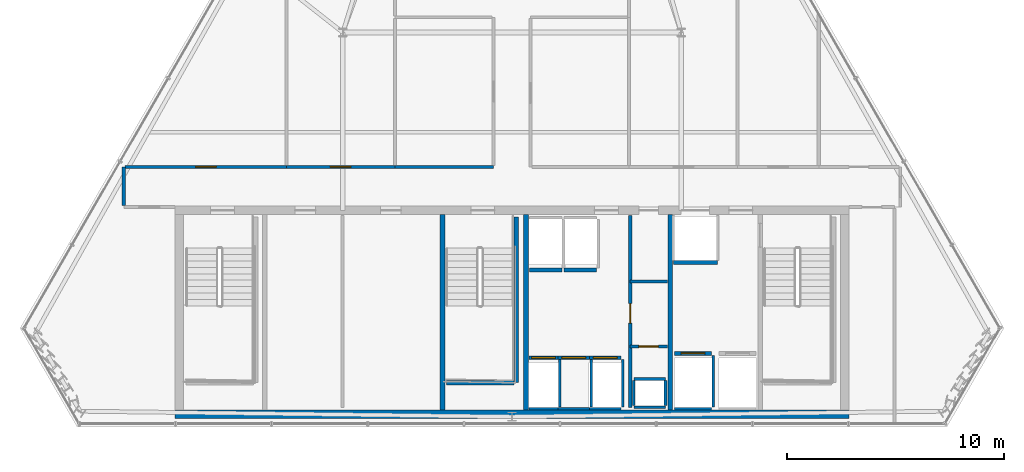
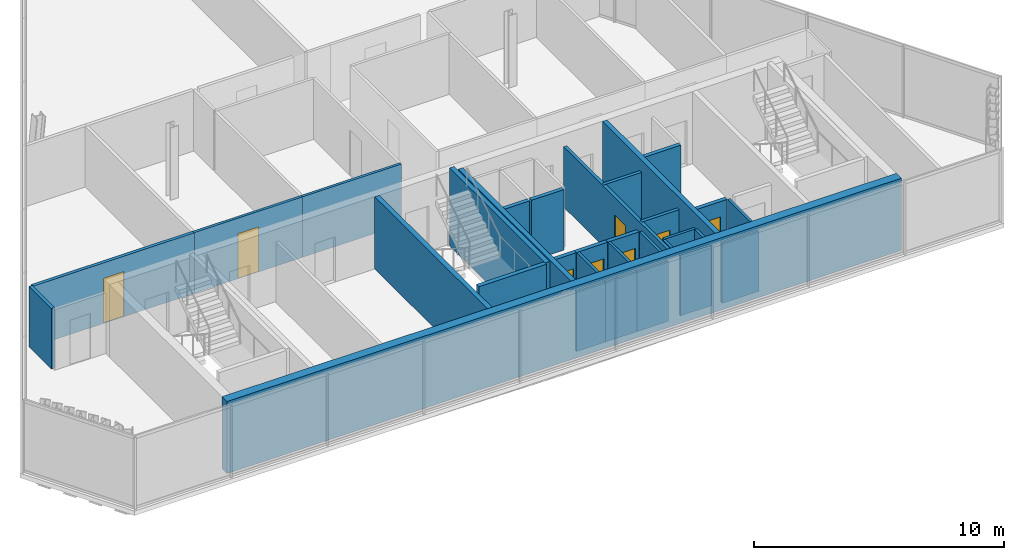
# One storey, part 30 of 35: 32 walls, 8 doors, 8 openings.
"""IFC4 building model written with IfcOpenShell, lengths in metres."""

from ifc_helpers import new_model, si_unit, direction, frame, frame_2d, origin, place, context, subcontext, project, spatial, rectangle, extrude, material, layer, layer_set, type_object, element, fill, save


model = new_model("IFC4")

# Units and contexts
model_context = context("Model", 3, precision=1e-05, world=origin(), true_north=direction((0.0, 1.0)))
body_context = subcontext(model_context, "Body", "Model", "MODEL_VIEW")
ifc_project = project(units=[si_unit("LENGTHUNIT", "METRE"), si_unit("AREAUNIT", "SQUARE_METRE"), si_unit("VOLUMEUNIT", "CUBIC_METRE"), si_unit("PLANEANGLEUNIT", "RADIAN"), si_unit("MASSUNIT", "GRAM", prefix="KILO")], contexts=[model_context])

# Site, building, storey
site_placement = place(None, origin())
site = spatial("IfcSite", under=ifc_project, at=site_placement, CompositionType="ELEMENT")
building_placement = place(site_placement, origin())
building = spatial("IfcBuilding", under=site, at=building_placement, Name="Ndaravel Arena Tower", CompositionType="ELEMENT")
storey_placement = place(building_placement, frame((0.0, 0.0, 275.0)))
storey = spatial("IfcBuildingStorey", under=building, at=storey_placement, Name="L67", CompositionType="ELEMENT", Elevation=275.0)

# Wall, opening, door
ifc_material_1 = material(Name="Gypsum", Category="gypsum")
ifc_layer_1 = layer(ifc_material_1, 0.14990234375)
ifc_layer_set_1 = layer_set([ifc_layer_1], Name="Gypsum")
wall_type_1 = type_object("IfcWallType", Name="WALL-COMP-150", PredefinedType="PARTITIONING", material=ifc_layer_set_1)
wall_1_placement = place(storey_placement, frame((47.449951171875, 5.89990234375, 0.0), z_axis=(0.0, 0.0, 1.0), x_axis=(0.0, 1.0, 0.0)))
wall_1 = element("IfcWall", 1, at=wall_1_placement, inside=storey, type_object=wall_type_1, Name="L67 Core Riser Bay Partition", PredefinedType="PARTITIONING", context=body_context, shape_type="SweptSolid", body=[
    extrude(rectangle(XDim=8.85009765625, YDim=0.14990234375, at=frame_2d((4.425048828125, 0.0))), origin(), (0.0, 0.0, 1.0), 2.950439453125),
])
opening_1_placement = place(wall_1_placement, frame((3.89990234375, 0.0, 0.0)))
opening_1 = element("IfcOpeningElement", 2, at=opening_1_placement, cuts=wall_1, Name="Opening RD-01", PredefinedType="OPENING", context=body_context, shape_type="SweptSolid", body=[
    extrude(rectangle(XDim=0.89990234375, YDim=2.10009765625, at=frame_2d((0.449951171875, 1.050048828125))), frame((0.0, 0.074951171875, 0.0), z_axis=(0.0, -1.0, 0.0), x_axis=(1.0, 0.0, 0.0)), (0.0, 0.0, 1.0), 0.14990234375),
])
ifc_material_2 = material(Name="Steel S355", Category="steel")
door_type_1 = type_object("IfcDoorType", Name="DT-08-RISER-900", OperationType="SINGLE_SWING_LEFT", PredefinedType="DOOR", material=ifc_material_2)
door_1_placement = place(opening_1_placement, origin())
door_1 = element("IfcDoor", 3, at=door_1_placement, inside=storey, type_object=door_type_1, Name="L67 Plumbing Riser Door", OperationType="SINGLE_SWING_LEFT", OverallHeight=2.10009765625, OverallWidth=0.89990234375, PredefinedType="DOOR", context=body_context, shape_type="SweptSolid", body=[
    extrude(rectangle(XDim=0.89990234375, YDim=2.10009765625, at=frame_2d((0.449951171875, 1.050048828125))), frame((0.0, 0.02490234375, 0.0), z_axis=(0.0, -1.0, 0.0), x_axis=(1.0, 0.0, 0.0)), (0.0, 0.0, 1.0), 0.050048828125),
])
fill(opening_1, door_1)

wall_2_placement = place(storey_placement, frame((47.449951171875, 8.719970703125, 0.0), z_axis=(0.0, 0.0, 1.0), x_axis=(1.0, 0.0, 0.0)))
wall_2 = element("IfcWall", 4, at=wall_2_placement, inside=storey, type_object=wall_type_1, Name="L67 Core Riser Divider 1", PredefinedType="PARTITIONING", context=body_context, shape_type="SweptSolid", body=[
    extrude(rectangle(XDim=1.72998046875, YDim=0.14990234375, at=frame_2d((0.864990234375, 0.0))), origin(), (0.0, 0.0, 1.0), 2.950439453125),
])
opening_2_placement = place(wall_2_placement, frame((0.39990234375, 0.0, 0.0)))
opening_2 = element("IfcOpeningElement", 5, at=opening_2_placement, cuts=wall_2, Name="Opening RD-01", PredefinedType="OPENING", context=body_context, shape_type="SweptSolid", body=[
    extrude(rectangle(XDim=0.89990234375, YDim=2.10009765625, at=frame_2d((0.449951171875, 1.050048828125))), frame((0.0, 0.074951171875, 0.0), z_axis=(0.0, -1.0, 0.0), x_axis=(1.0, 0.0, 0.0)), (0.0, 0.0, 1.0), 0.14990234375),
])
door_2_placement = place(opening_2_placement, origin())
door_2 = element("IfcDoor", 6, at=door_2_placement, inside=storey, type_object=door_type_1, Name="L67 Low-Voltage Riser Door", OperationType="SINGLE_SWING_RIGHT", OverallHeight=2.10009765625, OverallWidth=0.89990234375, PredefinedType="DOOR", context=body_context, shape_type="SweptSolid", body=[
    extrude(rectangle(XDim=0.89990234375, YDim=2.10009765625, at=frame_2d((0.449951171875, 1.050048828125))), frame((0.0, 0.02490234375, 0.0), z_axis=(0.0, -1.0, 0.0), x_axis=(1.0, 0.0, 0.0)), (0.0, 0.0, 1.0), 0.050048828125),
])
fill(opening_2, door_2)

# Walls
wall_3_placement = place(storey_placement, frame((47.449951171875, 11.719970703125, 0.0), z_axis=(0.0, 0.0, 1.0), x_axis=(1.0, 0.0, 0.0)))
element("IfcWall", 7, at=wall_3_placement, inside=storey, type_object=wall_type_1, Name="L67 Core Riser Divider 2", PredefinedType="PARTITIONING", context=body_context, shape_type="SweptSolid", body=[
    extrude(rectangle(XDim=1.72998046875, YDim=0.14990234375, at=frame_2d((0.864990234375, 0.0))), origin(), (0.0, 0.0, 1.0), 2.950439453125),
])
ifc_material_3 = material(Name="Concrete C50/60", Category="concrete")
ifc_layer_2 = layer(ifc_material_3, 0.219970703125)
ifc_layer_set_2 = layer_set([ifc_layer_2], Name="Concrete C50/60")
wall_type_2 = type_object("IfcWallType", Name="WALL-CORE-220", PredefinedType="SOLIDWALL", material=ifc_layer_set_2)
for number, where, z_axis, x_axis, name in (
    (8, (38.800048828125, 5.800048828125, 0.0), (0.0, 0.0, 1.0), (0.0, 1.0, 0.0), "L67 Core Web Shear Wall 2"),
    (9, (42.64990234375, 5.800048828125, 0.0), (0.0, 0.0, 1.0), (0.0, 1.0, 0.0), "L67 Core Web Shear Wall 3"),
    (10, (49.300048828125, 5.800048828125, 0.0), (0.0, 0.0, 1.0), (0.0, 1.0, 0.0), "L67 Core Web Shear Wall 4"),
):
    element("IfcWall", number, at=place(storey_placement, frame(where, z_axis=z_axis, x_axis=x_axis)), inside=storey, type_object=wall_type_2, Name=name, PredefinedType="SOLIDWALL", context=body_context, shape_type="SweptSolid", body=[
        extrude(rectangle(XDim=9.0, YDim=0.219970703125, at=frame_2d((4.5, 0.0))), origin(), (0.0, 0.0, 1.0), 3.52001953125),
    ])
ifc_material_4 = material(Name="Concrete C50/60", Category="concrete")
ifc_layer_3 = layer(ifc_material_4, 0.39990234375)
ifc_layer_set_3 = layer_set([ifc_layer_3], Name="Concrete C50/60")
wall_type_3 = type_object("IfcWallType", Name="WALL-CORE-400", PredefinedType="SOLIDWALL", material=ifc_layer_set_3)
wall_4_placement = place(storey_placement, frame((26.449951171875, 5.60009765625, 0.0), z_axis=(0.0, 0.0, 1.0), x_axis=(1.0, 0.0, 0.0)))
element("IfcWall", 11, at=wall_4_placement, inside=storey, type_object=wall_type_3, Name="L67 Core South Shear Wall", PredefinedType="SOLIDWALL", context=body_context, shape_type="SweptSolid", body=[
    extrude(rectangle(XDim=31.10009765625, YDim=0.39990234375, at=frame_2d((15.550048828125, 0.0))), origin(), (0.0, 0.0, 1.0), 3.52001953125),
])

# Wall, opening, door
ifc_material_5 = material(Name="Gypsum", Category="gypsum")
ifc_layer_4 = layer(ifc_material_5, 0.125)
ifc_layer_set_4 = layer_set([ifc_layer_4], Name="Gypsum")
wall_type_4 = type_object("IfcWallType", Name="WALL-PART-125", PredefinedType="PARTITIONING", material=ifc_layer_set_4)
wall_5_placement = place(storey_placement, frame((31.60009765625, 17.0, 0.0), z_axis=(0.0, 0.0, 1.0), x_axis=(1.0, 0.0, 0.0)))
wall_5 = element("IfcWall", 12, at=wall_5_placement, inside=storey, type_object=wall_type_4, Name="L67 Interior Partition 006", PredefinedType="PARTITIONING", context=body_context, shape_type="SweptSolid", body=[
    extrude(rectangle(XDim=5.0, YDim=0.125, at=frame_2d((2.5, 0.0))), origin(), (0.0, 0.0, 1.0), 2.950439453125),
])
opening_3_placement = place(wall_5_placement, frame((2.02490234375, 0.0, 0.0)))
opening_3 = element("IfcOpeningElement", 13, at=opening_3_placement, cuts=wall_5, Name="Opening ID-01", PredefinedType="OPENING", context=body_context, shape_type="SweptSolid", body=[
    extrude(rectangle(XDim=0.949951171875, YDim=2.199951171875, at=frame_2d((0.47509765625, 1.10009765625))), frame((0.0, 0.0625, 0.0), z_axis=(0.0, -1.0, 0.0), x_axis=(1.0, 0.0, 0.0)), (0.0, 0.0, 1.0), 0.125),
])
ifc_material_6 = material(Name="Timber", Category="wood")
door_type_2 = type_object("IfcDoorType", Name="DT-03-OFFICE-950", OperationType="SINGLE_SWING_LEFT", PredefinedType="DOOR", material=ifc_material_6)
door_3_placement = place(opening_3_placement, origin())
door_3 = element("IfcDoor", 14, at=door_3_placement, inside=storey, type_object=door_type_2, Name="L67 Refreshment Kiosk 2 Door", OperationType="SINGLE_SWING_RIGHT", OverallHeight=2.199951171875, OverallWidth=0.949951171875, PredefinedType="DOOR", context=body_context, shape_type="SweptSolid", body=[
    extrude(rectangle(XDim=0.949951171875, YDim=2.199951171875, at=frame_2d((0.47509765625, 1.10009765625))), frame((0.0, 0.02490234375, 0.0), z_axis=(0.0, -1.0, 0.0), x_axis=(1.0, 0.0, 0.0)), (0.0, 0.0, 1.0), 0.050048828125),
])
fill(opening_3, door_3)

# Walls
wall_6_placement = place(storey_placement, frame((36.60009765625, 17.0, 0.0), z_axis=(0.0, 0.0, 1.0), x_axis=(1.0, 0.0, 0.0)))
element("IfcWall", 15, at=wall_6_placement, inside=storey, type_object=wall_type_4, Name="L67 Interior Partition 007", PredefinedType="PARTITIONING", context=body_context, shape_type="SweptSolid", body=[
    extrude(rectangle(XDim=4.5498046875, YDim=0.125, at=frame_2d((2.27490234375, 0.0))), origin(), (0.0, 0.0, 1.0), 2.950439453125),
])
ifc_material_7 = material(Name="Concrete C40/50", Category="concrete")
ifc_layer_5 = layer(ifc_material_7, 0.1201171875)
ifc_layer_set_5 = layer_set([ifc_layer_5], Name="Concrete C40/50")
wall_type_5 = type_object("IfcWallType", Name="WALL-SHAFT-120", PredefinedType="SOLIDWALL", material=ifc_layer_set_5)
for number, where, z_axis, x_axis, name in (
    (16, (47.6201171875, 5.919921875, 0.0), (0.0, 0.0, 1.0), (1.0, 0.0, 0.0), "L67 MEP Riser Shaft S Wall"),
    (17, (47.6201171875, 7.219970703125, 0.0), (0.0, 0.0, 1.0), (1.0, 0.0, 0.0), "L67 MEP Riser Shaft N Wall"),
):
    element("IfcWall", number, at=place(storey_placement, frame(where, z_axis=z_axis, x_axis=x_axis)), inside=storey, type_object=wall_type_5, Name=name, PredefinedType="SOLIDWALL", context=body_context, shape_type="SweptSolid", body=[
        extrude(rectangle(XDim=1.4599609375, YDim=0.1201171875, at=frame_2d((0.72998046875, 0.0))), origin(), (0.0, 0.0, 1.0), 2.950439453125),
    ])
for number, where, z_axis, x_axis, name in (
    (18, (47.6201171875, 6.0, 0.0), (0.0, 0.0, 1.0), (0.0, 1.0, 0.0), "L67 MEP Riser Shaft W Wall"),
    (19, (49.080078125, 6.0, 0.0), (0.0, 0.0, 1.0), (0.0, 1.0, 0.0), "L67 MEP Riser Shaft E Wall"),
):
    element("IfcWall", number, at=place(storey_placement, frame(where, z_axis=z_axis, x_axis=x_axis)), inside=storey, type_object=wall_type_5, Name=name, PredefinedType="SOLIDWALL", context=body_context, shape_type="SweptSolid", body=[
        extrude(rectangle(XDim=1.139892578125, YDim=0.1201171875, at=frame_2d((0.56982421875, 0.0))), origin(), (0.0, 0.0, 1.0), 2.950439453125),
    ])
wall_7_placement = place(storey_placement, frame((42.780029296875, 5.840087890625, 0.0), z_axis=(0.0, 0.0, 1.0), x_axis=(1.0, 0.0, 0.0)))
element("IfcWall", 20, at=wall_7_placement, inside=storey, type_object=wall_type_5, Name="L67 PL-H1 Shaft Rear Wall", PredefinedType="SOLIDWALL", context=body_context, shape_type="SweptSolid", body=[
    extrude(rectangle(XDim=1.340087890625, YDim=0.1201171875, at=frame_2d((0.669921875, 0.0))), origin(), (0.0, 0.0, 1.0), 2.950439453125),
])
wall_8_placement = place(storey_placement, frame((44.199951171875, 5.929931640625, 0.0), z_axis=(0.0, 0.0, 1.0), x_axis=(0.0, 1.0, 0.0)))
element("IfcWall", 21, at=wall_8_placement, inside=storey, type_object=wall_type_5, Name="L67 PL-H1 Shaft Side R Wall", PredefinedType="SOLIDWALL", context=body_context, shape_type="SweptSolid", body=[
    extrude(rectangle(XDim=2.18017578125, YDim=0.1201171875, at=frame_2d((1.090087890625, 0.0))), origin(), (0.0, 0.0, 1.0), 2.950439453125),
])
wall_9_placement = place(storey_placement, frame((44.1298828125, 5.840087890625, 0.0), z_axis=(0.0, 0.0, 1.0), x_axis=(1.0, 0.0, 0.0)))
element("IfcWall", 22, at=wall_9_placement, inside=storey, type_object=wall_type_5, Name="L67 PL-H2 Shaft Rear Wall", PredefinedType="SOLIDWALL", context=body_context, shape_type="SweptSolid", body=[
    extrude(rectangle(XDim=1.440185546875, YDim=0.1201171875, at=frame_2d((0.72021484375, 0.0))), origin(), (0.0, 0.0, 1.0), 2.950439453125),
])
wall_10_placement = place(storey_placement, frame((45.64990234375, 5.929931640625, 0.0), z_axis=(0.0, 0.0, 1.0), x_axis=(0.0, 1.0, 0.0)))
element("IfcWall", 23, at=wall_10_placement, inside=storey, type_object=wall_type_5, Name="L67 PL-H2 Shaft Side R Wall", PredefinedType="SOLIDWALL", context=body_context, shape_type="SweptSolid", body=[
    extrude(rectangle(XDim=2.18017578125, YDim=0.1201171875, at=frame_2d((1.090087890625, 0.0))), origin(), (0.0, 0.0, 1.0), 2.950439453125),
])
wall_11_placement = place(storey_placement, frame((45.580078125, 5.840087890625, 0.0), z_axis=(0.0, 0.0, 1.0), x_axis=(1.0, 0.0, 0.0)))
element("IfcWall", 24, at=wall_11_placement, inside=storey, type_object=wall_type_5, Name="L67 PL-H3 Shaft Rear Wall", PredefinedType="SOLIDWALL", context=body_context, shape_type="SweptSolid", body=[
    extrude(rectangle(XDim=1.43994140625, YDim=0.1201171875, at=frame_2d((0.719970703125, 0.0))), origin(), (0.0, 0.0, 1.0), 2.950439453125),
])
wall_12_placement = place(storey_placement, frame((47.10009765625, 5.929931640625, 0.0), z_axis=(0.0, 0.0, 1.0), x_axis=(0.0, 1.0, 0.0)))
element("IfcWall", 25, at=wall_12_placement, inside=storey, type_object=wall_type_5, Name="L67 PL-H3 Shaft Side R Wall", PredefinedType="SOLIDWALL", context=body_context, shape_type="SweptSolid", body=[
    extrude(rectangle(XDim=2.18017578125, YDim=0.1201171875, at=frame_2d((1.090087890625, 0.0))), origin(), (0.0, 0.0, 1.0), 2.950439453125),
])
wall_13_placement = place(storey_placement, frame((49.5048828125, 5.840087890625, 0.0), z_axis=(0.0, 0.0, 1.0), x_axis=(1.0, 0.0, 0.0)))
element("IfcWall", 26, at=wall_13_placement, inside=storey, type_object=wall_type_5, Name="L67 FFL-1 Shaft Rear Wall", PredefinedType="SOLIDWALL", context=body_context, shape_type="SweptSolid", body=[
    extrude(rectangle(XDim=1.690185546875, YDim=0.1201171875, at=frame_2d((0.84521484375, 0.0))), origin(), (0.0, 0.0, 1.0), 2.950439453125),
])
wall_14_placement = place(storey_placement, frame((51.27490234375, 5.929931640625, 0.0), z_axis=(0.0, 0.0, 1.0), x_axis=(0.0, 1.0, 0.0)))
element("IfcWall", 27, at=wall_14_placement, inside=storey, type_object=wall_type_5, Name="L67 FFL-1 Shaft Side R Wall", PredefinedType="SOLIDWALL", context=body_context, shape_type="SweptSolid", body=[
    extrude(rectangle(XDim=2.380126953125, YDim=0.1201171875, at=frame_2d((1.18994140625, 0.0))), origin(), (0.0, 0.0, 1.0), 2.950439453125),
])
ifc_material_8 = material(Name="Concrete C40/50", Category="concrete")
ifc_layer_6 = layer(ifc_material_8, 0.199951171875)
ifc_layer_set_6 = layer_set([ifc_layer_6], Name="Concrete C40/50")
wall_type_6 = type_object("IfcWallType", Name="WALL-SHAFT-200", PredefinedType="SOLIDWALL", material=ifc_layer_set_6)
wall_15_placement = place(storey_placement, frame((42.18994140625, 14.699951171875, 0.0), z_axis=(0.0, 0.0, 1.0), x_axis=(0.0, -1.0, 0.0)))
element("IfcWall", 28, at=wall_15_placement, inside=storey, type_object=wall_type_6, Name="L67 ST-2 Structural Shaft Wall Right", PredefinedType="SOLIDWALL", context=body_context, shape_type="SweptSolid", body=[
    extrude(rectangle(XDim=7.64990234375, YDim=0.199951171875, at=frame_2d((3.824951171875, 0.0))), origin(), (0.0, 0.0, 1.0), 3.800048828125),
])
wall_16_placement = place(storey_placement, frame((38.969970703125, 7.050048828125, 0.0), z_axis=(0.0, 0.0, 1.0), x_axis=(1.0, 0.0, 0.0)))
element("IfcWall", 29, at=wall_16_placement, inside=storey, type_object=wall_type_6, Name="L67 ST-2 Structural Shaft Wall Far", PredefinedType="SOLIDWALL", context=body_context, shape_type="SweptSolid", body=[
    extrude(rectangle(XDim=3.114990234375, YDim=0.199951171875, at=frame_2d((1.5576171875, 0.0))), origin(), (0.0, 0.0, 1.0), 3.800048828125),
])

# Wall, opening, door
wall_17_placement = place(storey_placement, frame((42.780029296875, 8.199951171875, 0.0), z_axis=(0.0, 0.0, 1.0), x_axis=(1.0, 0.0, 0.0)))
wall_17 = element("IfcWall", 30, at=wall_17_placement, inside=storey, type_object=wall_type_6, Name="L67 PL-H1 Shaft Landing Wall", PredefinedType="SOLIDWALL", context=body_context, shape_type="SweptSolid", body=[
    extrude(rectangle(XDim=1.340087890625, YDim=0.179931640625, at=frame_2d((0.669921875, 0.0))), origin(), (0.0, 0.0, 1.0), 2.950439453125),
])
opening_4_placement = place(wall_17_placement, frame((0.1201171875, 0.0, 0.0)))
opening_4 = element("IfcOpeningElement", 31, at=opening_4_placement, cuts=wall_17, Name="Opening LD-01", PredefinedType="OPENING", context=body_context, shape_type="SweptSolid", body=[
    extrude(rectangle(XDim=1.10009765625, YDim=2.199951171875, at=frame_2d((0.550048828125, 1.10009765625))), frame((0.0, 0.08984375, 0.0), z_axis=(0.0, -1.0, 0.0), x_axis=(1.0, 0.0, 0.0)), (0.0, 0.0, 1.0), 0.179931640625),
])
ifc_material_9 = material(Name="Steel S355", Category="steel")
door_type_3 = type_object("IfcDoorType", Name="DT-06-LIFT-1100", OperationType="SLIDING_TO_LEFT", PredefinedType="DOOR", material=ifc_material_9)
door_4_placement = place(opening_4_placement, origin())
door_4 = element("IfcDoor", 32, at=door_4_placement, inside=storey, type_object=door_type_3, Name="L67 Lift PL-H1 Sliding Landing Door", OperationType="SLIDING_TO_LEFT", OverallHeight=2.199951171875, OverallWidth=1.10009765625, PredefinedType="DOOR", context=body_context, shape_type="SweptSolid", body=[
    extrude(rectangle(XDim=1.10009765625, YDim=2.199951171875, at=frame_2d((0.550048828125, 1.10009765625))), frame((0.0, 0.02490234375, 0.0), z_axis=(0.0, -1.0, 0.0), x_axis=(1.0, 0.0, 0.0)), (0.0, 0.0, 1.0), 0.050048828125),
])
fill(opening_4, door_4)

wall_18_placement = place(storey_placement, frame((44.1298828125, 8.199951171875, 0.0), z_axis=(0.0, 0.0, 1.0), x_axis=(1.0, 0.0, 0.0)))
wall_18 = element("IfcWall", 33, at=wall_18_placement, inside=storey, type_object=wall_type_6, Name="L67 PL-H2 Shaft Landing Wall", PredefinedType="SOLIDWALL", context=body_context, shape_type="SweptSolid", body=[
    extrude(rectangle(XDim=1.440185546875, YDim=0.179931640625, at=frame_2d((0.72021484375, 0.0))), origin(), (0.0, 0.0, 1.0), 2.950439453125),
])
opening_5_placement = place(wall_18_placement, frame((0.169921875, 0.0, 0.0)))
opening_5 = element("IfcOpeningElement", 34, at=opening_5_placement, cuts=wall_18, Name="Opening LD-01", PredefinedType="OPENING", context=body_context, shape_type="SweptSolid", body=[
    extrude(rectangle(XDim=1.10009765625, YDim=2.199951171875, at=frame_2d((0.550048828125, 1.10009765625))), frame((0.0, 0.08984375, 0.0), z_axis=(0.0, -1.0, 0.0), x_axis=(1.0, 0.0, 0.0)), (0.0, 0.0, 1.0), 0.179931640625),
])
door_5_placement = place(opening_5_placement, origin())
door_5 = element("IfcDoor", 35, at=door_5_placement, inside=storey, type_object=door_type_3, Name="L67 Lift PL-H2 Sliding Landing Door", OperationType="SLIDING_TO_LEFT", OverallHeight=2.199951171875, OverallWidth=1.10009765625, PredefinedType="DOOR", context=body_context, shape_type="SweptSolid", body=[
    extrude(rectangle(XDim=1.10009765625, YDim=2.199951171875, at=frame_2d((0.550048828125, 1.10009765625))), frame((0.0, 0.02490234375, 0.0), z_axis=(0.0, -1.0, 0.0), x_axis=(1.0, 0.0, 0.0)), (0.0, 0.0, 1.0), 0.050048828125),
])
fill(opening_5, door_5)

wall_19_placement = place(storey_placement, frame((45.580078125, 8.199951171875, 0.0), z_axis=(0.0, 0.0, 1.0), x_axis=(1.0, 0.0, 0.0)))
wall_19 = element("IfcWall", 36, at=wall_19_placement, inside=storey, type_object=wall_type_6, Name="L67 PL-H3 Shaft Landing Wall", PredefinedType="SOLIDWALL", context=body_context, shape_type="SweptSolid", body=[
    extrude(rectangle(XDim=1.43994140625, YDim=0.179931640625, at=frame_2d((0.719970703125, 0.0))), origin(), (0.0, 0.0, 1.0), 2.950439453125),
])
opening_6_placement = place(wall_19_placement, frame((0.169921875, 0.0, 0.0)))
opening_6 = element("IfcOpeningElement", 37, at=opening_6_placement, cuts=wall_19, Name="Opening LD-01", PredefinedType="OPENING", context=body_context, shape_type="SweptSolid", body=[
    extrude(rectangle(XDim=1.10009765625, YDim=2.199951171875, at=frame_2d((0.550048828125, 1.10009765625))), frame((0.0, 0.08984375, 0.0), z_axis=(0.0, -1.0, 0.0), x_axis=(1.0, 0.0, 0.0)), (0.0, 0.0, 1.0), 0.179931640625),
])
door_6_placement = place(opening_6_placement, origin())
door_6 = element("IfcDoor", 38, at=door_6_placement, inside=storey, type_object=door_type_3, Name="L67 Lift PL-H3 Sliding Landing Door", OperationType="SLIDING_TO_LEFT", OverallHeight=2.199951171875, OverallWidth=1.10009765625, PredefinedType="DOOR", context=body_context, shape_type="SweptSolid", body=[
    extrude(rectangle(XDim=1.10009765625, YDim=2.199951171875, at=frame_2d((0.550048828125, 1.10009765625))), frame((0.0, 0.02490234375, 0.0), z_axis=(0.0, -1.0, 0.0), x_axis=(1.0, 0.0, 0.0)), (0.0, 0.0, 1.0), 0.050048828125),
])
fill(opening_6, door_6)

# Walls
for number, where, z_axis, x_axis, name in (
    (39, (42.804931640625, 12.25, 0.0), (0.0, 0.0, 1.0), (1.0, 0.0, 0.0), "L67 PL-OBS1 Shaft Landing Wall"),
    (40, (44.405029296875, 12.25, 0.0), (0.0, 0.0, 1.0), (1.0, 0.0, 0.0), "L67 PL-OBS2 Shaft Landing Wall"),
):
    element("IfcWall", number, at=place(storey_placement, frame(where, z_axis=z_axis, x_axis=x_axis)), inside=storey, type_object=wall_type_6, Name=name, PredefinedType="SOLIDWALL", context=body_context, shape_type="SweptSolid", body=[
        extrude(rectangle(XDim=1.489990234375, YDim=0.179931640625, at=frame_2d((0.7451171875, 0.0))), origin(), (0.0, 0.0, 1.0), 2.950439453125),
    ])

# Wall, opening, door
wall_20_placement = place(storey_placement, frame((49.5048828125, 8.39990234375, 0.0), z_axis=(0.0, 0.0, 1.0), x_axis=(1.0, 0.0, 0.0)))
wall_20 = element("IfcWall", 41, at=wall_20_placement, inside=storey, type_object=wall_type_6, Name="L67 FFL-1 Shaft Landing Wall", PredefinedType="SOLIDWALL", context=body_context, shape_type="SweptSolid", body=[
    extrude(rectangle(XDim=1.690185546875, YDim=0.179931640625, at=frame_2d((0.84521484375, 0.0))), origin(), (0.0, 0.0, 1.0), 2.950439453125),
])
opening_7_placement = place(wall_20_placement, frame((0.294921875, 0.0, 0.0)))
opening_7 = element("IfcOpeningElement", 42, at=opening_7_placement, cuts=wall_20, Name="Opening LD-01", PredefinedType="OPENING", context=body_context, shape_type="SweptSolid", body=[
    extrude(rectangle(XDim=1.10009765625, YDim=2.199951171875, at=frame_2d((0.550048828125, 1.10009765625))), frame((0.0, 0.08984375, 0.0), z_axis=(0.0, -1.0, 0.0), x_axis=(1.0, 0.0, 0.0)), (0.0, 0.0, 1.0), 0.179931640625),
])
door_7_placement = place(opening_7_placement, origin())
door_7 = element("IfcDoor", 43, at=door_7_placement, inside=storey, type_object=door_type_3, Name="L67 Lift FFL-1 Sliding Landing Door", OperationType="SLIDING_TO_LEFT", OverallHeight=2.199951171875, OverallWidth=1.10009765625, PredefinedType="DOOR", context=body_context, shape_type="SweptSolid", body=[
    extrude(rectangle(XDim=1.10009765625, YDim=2.199951171875, at=frame_2d((0.550048828125, 1.10009765625))), frame((0.0, 0.02490234375, 0.0), z_axis=(0.0, -1.0, 0.0), x_axis=(1.0, 0.0, 0.0)), (0.0, 0.0, 1.0), 0.050048828125),
])
fill(opening_7, door_7)

# Walls
wall_21_placement = place(storey_placement, frame((49.43994140625, 12.594970703125, 0.0), z_axis=(0.0, 0.0, 1.0), x_axis=(1.0, 0.0, 0.0)))
element("IfcWall", 44, at=wall_21_placement, inside=storey, type_object=wall_type_6, Name="L67 SVL-1 Shaft South Wall", PredefinedType="SOLIDWALL", context=body_context, shape_type="SweptSolid", body=[
    extrude(rectangle(XDim=2.0400390625, YDim=0.179931640625, at=frame_2d((1.02001953125, 0.0))), origin(), (0.0, 0.0, 1.0), 2.950439453125),
])
ifc_material_10 = material(Name="Masonry", Category="masonry")
ifc_layer_7 = layer(ifc_material_10, 0.14990234375)
ifc_layer_set_7 = layer_set([ifc_layer_7], Name="Masonry")
wall_type_7 = type_object("IfcWallType", Name="WALL-WET-150", PredefinedType="PARTITIONING", material=ifc_layer_set_7)
wall_22_placement = place(storey_placement, frame((24.096923828125, 15.215087890625, 0.0), z_axis=(0.0, 0.0, 1.0), x_axis=(0.0, 1.0, 0.0)))
element("IfcWall", 45, at=wall_22_placement, inside=storey, type_object=wall_type_7, Name="L67 Interior Partition 004", PredefinedType="PARTITIONING", context=body_context, shape_type="SweptSolid", body=[
    extrude(rectangle(XDim=1.784912109375, YDim=0.14990234375, at=frame_2d((0.892578125, 0.0))), origin(), (0.0, 0.0, 1.0), 2.950439453125),
])

# Wall, opening, door
wall_23_placement = place(storey_placement, frame((24.162109375, 17.0, 0.0), z_axis=(0.0, 0.0, 1.0), x_axis=(1.0, 0.0, 0.0)))
wall_23 = element("IfcWall", 46, at=wall_23_placement, inside=storey, type_object=wall_type_7, Name="L67 Interior Partition 005", PredefinedType="PARTITIONING", context=body_context, shape_type="SweptSolid", body=[
    extrude(rectangle(XDim=7.43798828125, YDim=0.14990234375, at=frame_2d((3.718994140625, 0.0))), origin(), (0.0, 0.0, 1.0), 2.950439453125),
])
opening_8_placement = place(wall_23_placement, frame((3.243896484375, 0.0, 0.0)))
opening_8 = element("IfcOpeningElement", 47, at=opening_8_placement, cuts=wall_23, Name="Opening FD-03", PredefinedType="OPENING", context=body_context, shape_type="SweptSolid", body=[
    extrude(rectangle(XDim=0.949951171875, YDim=2.199951171875, at=frame_2d((0.47509765625, 1.10009765625))), frame((0.0, 0.074951171875, 0.0), z_axis=(0.0, -1.0, 0.0), x_axis=(1.0, 0.0, 0.0)), (0.0, 0.0, 1.0), 0.14990234375),
])
ifc_material_11 = material(Name="Steel S355", Category="steel")
door_type_4 = type_object("IfcDoorType", Name="DT-11-CORE-950", OperationType="SINGLE_SWING_LEFT", PredefinedType="DOOR", material=ifc_material_11)
door_8_placement = place(opening_8_placement, origin())
door_8 = element("IfcDoor", 48, at=door_8_placement, inside=storey, type_object=door_type_4, Name="L67 Catering Pantry 2 Door", OperationType="SINGLE_SWING_RIGHT", OverallHeight=2.199951171875, OverallWidth=0.949951171875, PredefinedType="DOOR", context=body_context, shape_type="SweptSolid", body=[
    extrude(rectangle(XDim=0.949951171875, YDim=2.199951171875, at=frame_2d((0.47509765625, 1.10009765625))), frame((0.0, 0.02490234375, 0.0), z_axis=(0.0, -1.0, 0.0), x_axis=(1.0, 0.0, 0.0)), (0.0, 0.0, 1.0), 0.050048828125),
])
fill(opening_8, door_8)

save(model, "model.ifc")
